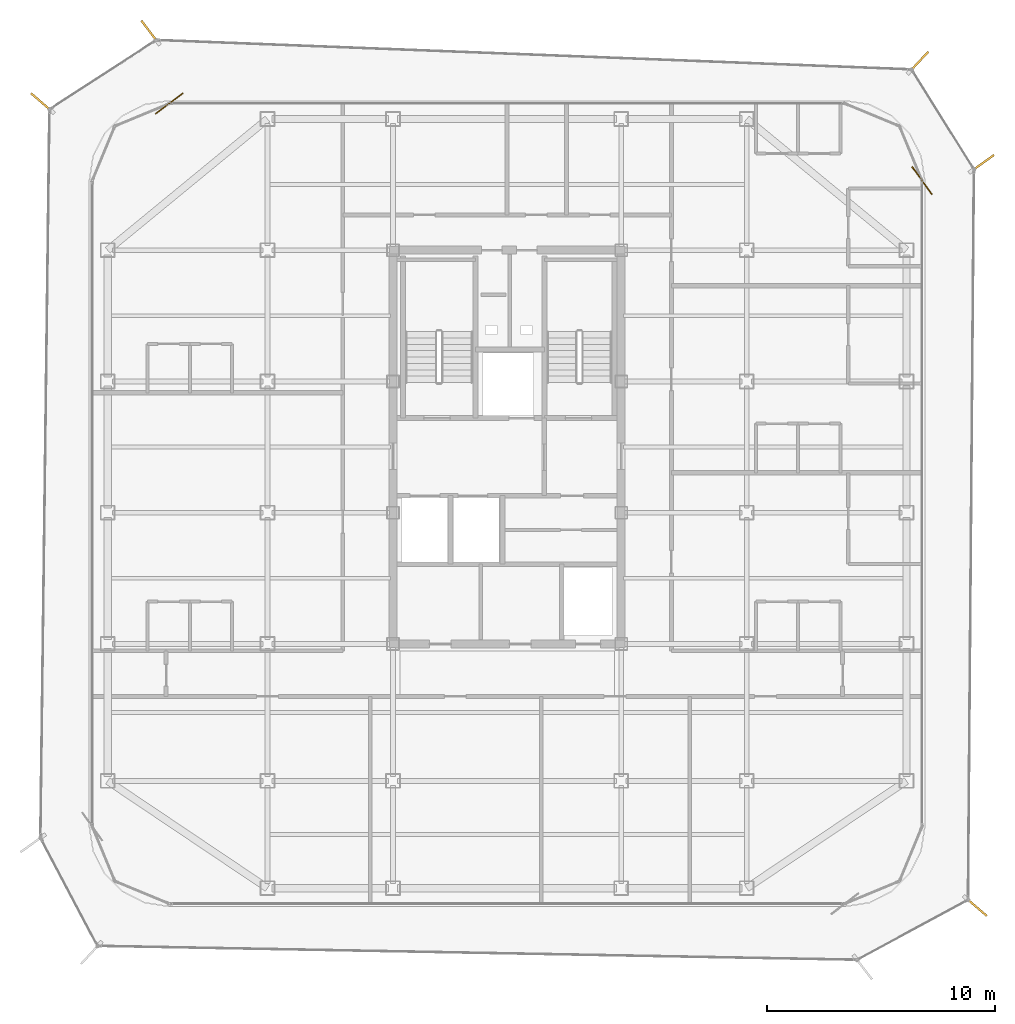
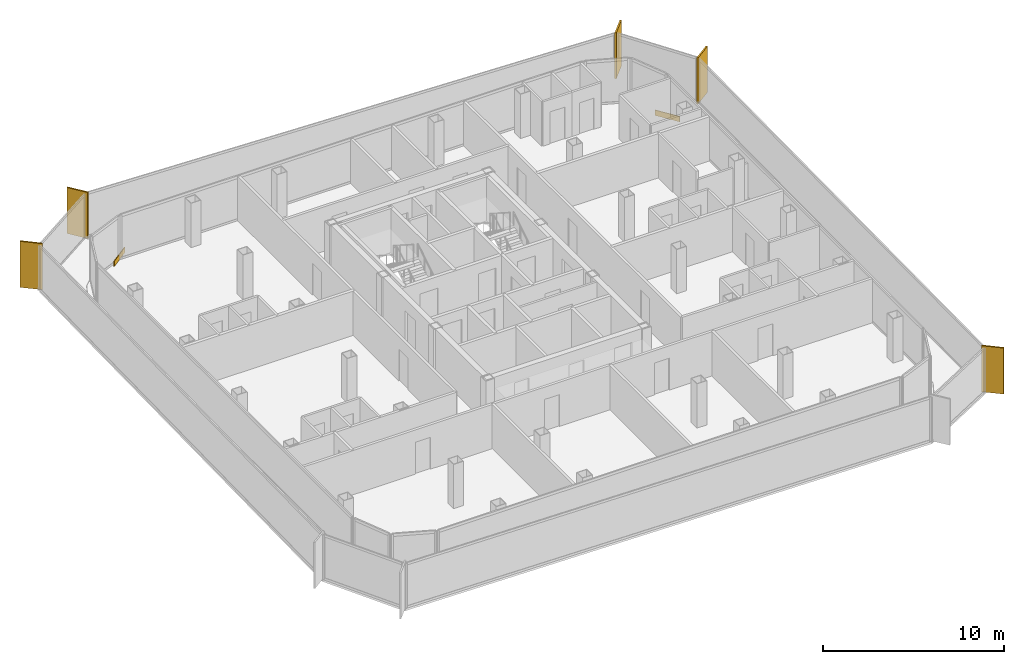
# One storey, part 15 of 15: 5 shading devices, 2 coverings.
"""IFC4 building model written with IfcOpenShell, lengths in metres."""

from ifc_helpers import new_model, si_unit, direction, frame, origin, origin_2d, place, context, subcontext, project, spatial, rectangle, extrude, source, transform, mapped, material, layer, layer_set, type_object, element, save


model = new_model("IFC4")

# Units and contexts
model_context = context("Model", 3, precision=1e-05, world=origin(), true_north=direction((0.0, 1.0)))
body_context = subcontext(model_context, "Body", "Model", "MODEL_VIEW")
ifc_project = project(units=[si_unit("LENGTHUNIT", "METRE"), si_unit("AREAUNIT", "SQUARE_METRE"), si_unit("VOLUMEUNIT", "CUBIC_METRE"), si_unit("PLANEANGLEUNIT", "RADIAN"), si_unit("MASSUNIT", "GRAM", prefix="KILO")], contexts=[model_context])

# Site, building, storey
site_placement = place(None, origin())
site = spatial("IfcSite", under=ifc_project, at=site_placement, CompositionType="ELEMENT")
building_placement = place(site_placement, origin())
building = spatial("IfcBuilding", under=site, at=building_placement, Name="Kolveth Station Tower", CompositionType="ELEMENT")
storey_placement = place(building_placement, frame((0.0, 0.0, 245.699951171875)))
storey = spatial("IfcBuildingStorey", under=building, at=storey_placement, Name="L70", CompositionType="ELEMENT", Elevation=245.699951171875)

# Shading devices
ifc_material_1 = material(Name="Black anodized aluminium 6063-T6", Category="aluminium")
shading_device_type = type_object("IfcShadingDeviceType", Name="FIN_VF1", PredefinedType="USERDEFINED", material=ifc_material_1)
shared_shape_1 = source(origin(), body_context, "Body", "SweptSolid", [
    extrude(rectangle(XDim=1.25, YDim=0.090087890625, at=origin_2d()), origin(), (0.0, 0.0, 1.0), 3.10009765625),
])
for number, where, z_axis, x_axis, name in (
    (1, (44.04296875, -0.008056640625, 0.0), (0.0, 0.0, 1.0), (0.758361915289, -0.651833725301, 0.0), "L70 Dark-Aluminium Solar Fin 2"),
    (2, (44.325927734375, 32.56005859375, 0.0), (0.0, 0.0, 1.0), (0.813100761047, 0.582122970157, 0.0), "L70 Dark-Aluminium Solar Fin 3"),
    (3, (41.533935546875, 36.9970703125, 0.0), (0.0, 0.0, 1.0), (0.681870704375, 0.731472721648, 0.0), "L70 Dark-Aluminium Solar Fin 4"),
    (4, (7.85400390625, 38.31298828125, 0.0), (0.0, 0.0, 1.0), (-0.603625519008, 0.797267980545, 0.0), "L70 Dark-Aluminium Solar Fin 5"),
    (5, (3.114013671875, 35.218994140625, 0.0), (0.0, 0.0, 1.0), (-0.757451044777, 0.652891962553, 0.0), "L70 Dark-Aluminium Solar Fin 6"),
):
    element("IfcShadingDevice", number, at=place(storey_placement, frame(where, z_axis=z_axis, x_axis=x_axis)), inside=storey, type_object=shading_device_type, Name=name, ObjectType="FIN", PredefinedType="USERDEFINED", context=body_context, shape_type="MappedRepresentation", body=[
        mapped(shared_shape_1, transform((0.0, 0.0, 0.0), x_axis=(1.0, 0.0, 0.0), y_axis=(0.0, 1.0, 0.0), z_axis=(0.0, 0.0, 1.0), scale=1.0)),
    ])

# Coverings
ifc_material_2 = material(Name="Charcoal anodized aluminium spandrel cladding", Category="aluminium")
ifc_layer = layer(ifc_material_2, 0.044921875)
ifc_layer_set = layer_set([ifc_layer], Name="Charcoal anodized aluminium spandrel cladding")
covering_type = type_object("IfcCoveringType", Name="Clad_CD1", PredefinedType="CLADDING", material=ifc_layer_set)
shared_shape_2 = source(origin(), body_context, "Body", "SweptSolid", [
    extrude(rectangle(XDim=1.5, YDim=0.044921875, at=origin_2d()), origin(), (0.0, 0.0, 1.0), 0.360107421875),
])
for number, where, z_axis, x_axis, name in (
    (6, (41.679931640625, 31.800048828125, 0.0), (0.0, 0.0, 1.0), (-0.582122970157, 0.813100761047, 0.0), "L70 Spandrel Edge Cladding 3"),
    (7, (8.699951171875, 35.179931640625, 0.0), (0.0, 0.0, 1.0), (-0.797267980545, -0.603625519008, 0.0), "L70 Spandrel Edge Cladding 5"),
):
    element("IfcCovering", number, at=place(storey_placement, frame(where, z_axis=z_axis, x_axis=x_axis)), inside=storey, type_object=covering_type, Name=name, PredefinedType="CLADDING", context=body_context, shape_type="MappedRepresentation", body=[
        mapped(shared_shape_2, transform((0.0, 0.0, 0.0), x_axis=(1.0, 0.0, 0.0), y_axis=(0.0, 1.0, 0.0), z_axis=(0.0, 0.0, 1.0), scale=1.0)),
    ])

save(model, "model.ifc")
